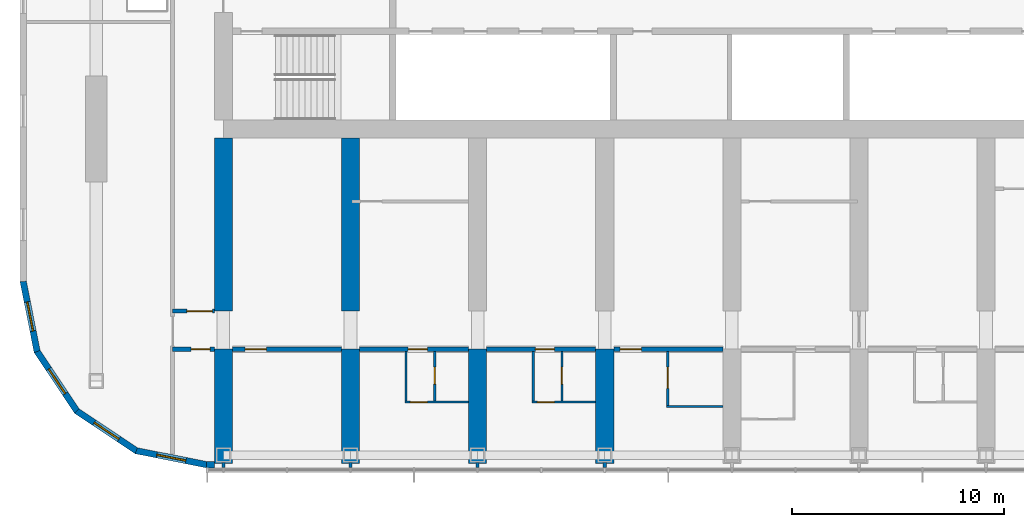
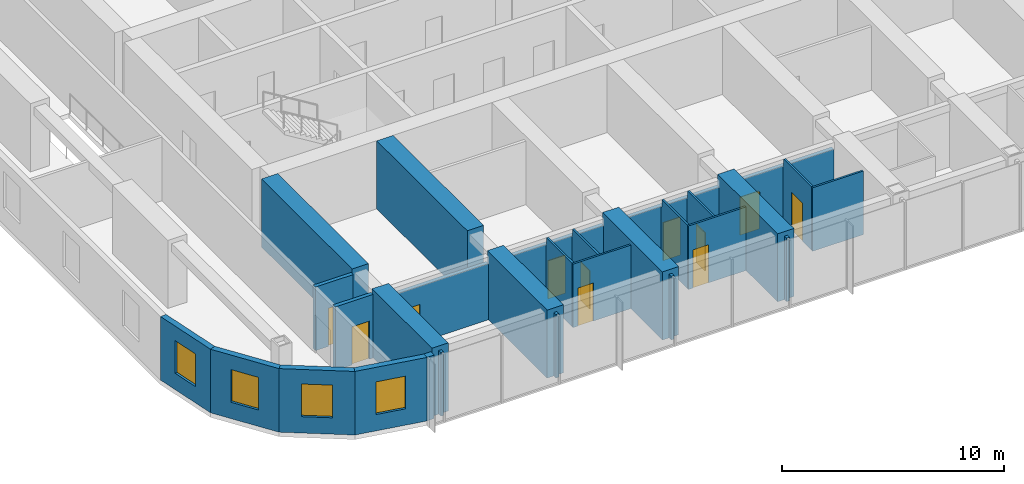
# One storey, part 10 of 22: 29 walls, 11 doors, 4 windows, 15 openings.
"""IFC4 building model written with IfcOpenShell, lengths in metres."""

from ifc_helpers import new_model, si_unit, direction, frame, frame_2d, origin, place, context, subcontext, project, spatial, polyline, rectangle, outline, extrude, material, layer, layer_set, type_object, element, fill, save


model = new_model("IFC4")

# Units and contexts
model_context = context("Model", 3, precision=1e-05, world=origin(), true_north=direction((0.0, 1.0)))
body_context = subcontext(model_context, "Body", "Model", "MODEL_VIEW")
ifc_project = project(units=[si_unit("LENGTHUNIT", "METRE"), si_unit("AREAUNIT", "SQUARE_METRE"), si_unit("VOLUMEUNIT", "CUBIC_METRE"), si_unit("PLANEANGLEUNIT", "RADIAN"), si_unit("MASSUNIT", "GRAM", prefix="KILO")], contexts=[model_context])

# Site, building, storey
site_placement = place(None, origin())
site = spatial("IfcSite", under=ifc_project, at=site_placement, CompositionType="ELEMENT")
building_placement = place(site_placement, origin())
building = spatial("IfcBuilding", under=site, at=building_placement, Name="Orbita Commons", CompositionType="ELEMENT")
storey_placement = place(building_placement, frame((0.0, 0.0, 182.35009765625)))
storey = spatial("IfcBuildingStorey", under=building, at=storey_placement, Name="L45", CompositionType="ELEMENT", Elevation=182.35009765625)

# Wall, opening, door
ifc_material_1 = material(Name="Concrete blockwork", Category="masonry")
ifc_layer_1 = layer(ifc_material_1, 0.199951171875)
ifc_layer_set_1 = layer_set([ifc_layer_1], Name="Concrete blockwork")
wall_type_1 = type_object("IfcWallType", Name="Corridor wall 200 blockwork", PredefinedType="SOLIDWALL", material=ifc_layer_set_1)
wall_1_placement = place(storey_placement, frame((15.60009765625, 15.39990234375, 0.0), z_axis=(0.0, 0.0, 1.0), x_axis=(1.0, 0.0, 0.0)))
wall_1 = element("IfcWall", 1, at=wall_1_placement, inside=storey, type_object=wall_type_1, Name="Corridor wall 200 blockwork L45", PredefinedType="SOLIDWALL", context=body_context, shape_type="SweptSolid", body=[
    extrude(rectangle(XDim=1.974853515625, YDim=0.199951171875, at=frame_2d((0.9873046875, 0.0))), origin(), (0.0, 0.0, 1.0), 3.5),
])
opening_1_placement = place(wall_1_placement, frame((0.875, 0.0, 0.0)))
opening_1 = element("IfcOpeningElement", 2, at=opening_1_placement, cuts=wall_1, Name="Opening D05", PredefinedType="OPENING", context=body_context, shape_type="SweptSolid", body=[
    extrude(rectangle(XDim=0.89990234375, YDim=2.10009765625, at=frame_2d((0.449951171875, 1.050048828125))), frame((0.0, 0.10986328125, 0.0), z_axis=(0.0, -1.0, 0.0), x_axis=(1.0, 0.0, 0.0)), (0.0, 0.0, 1.0), 0.219970703125),
])
ifc_material_2 = material(Name="Steel-faced fire door leaf", Category="steel")
door_type_1 = type_object("IfcDoorType", Name="Service door 20 min 900x2100", OperationType="SINGLE_SWING_LEFT", PredefinedType="DOOR", material=ifc_material_2)
door_1_placement = place(opening_1_placement, origin())
door_1 = element("IfcDoor", 3, at=door_1_placement, inside=storey, type_object=door_type_1, Name="Linen store L45-KWS door", OperationType="SINGLE_SWING_LEFT", OverallHeight=2.10009765625, OverallWidth=0.89990234375, PredefinedType="DOOR", context=body_context, shape_type="SweptSolid", body=[
    extrude(rectangle(XDim=0.89990234375, YDim=2.10009765625, at=frame_2d((0.449951171875, 1.050048828125))), frame((0.0, 0.02490234375, 0.0), z_axis=(0.0, -1.0, 0.0), x_axis=(1.0, 0.0, 0.0)), (0.0, 0.0, 1.0), 0.050048828125),
])
fill(opening_1, door_1)

wall_2_placement = place(storey_placement, frame((18.425048828125, 15.39990234375, 0.0), z_axis=(0.0, 0.0, 1.0), x_axis=(1.0, 0.0, 0.0)))
wall_2 = element("IfcWall", 4, at=wall_2_placement, inside=storey, type_object=wall_type_1, Name="Corridor wall 200 blockwork L45", PredefinedType="SOLIDWALL", context=body_context, shape_type="SweptSolid", body=[
    extrude(outline(polyline([(0.0, 0.0), (5.14990234375, 0.0), (5.14990234375, 3.099853515625), (0.0, 3.099853515625), (0.0, 0.0)])), frame((0.0, 0.10009765625, 0.0), z_axis=(0.0, -1.0, 0.0), x_axis=(1.0, 0.0, 0.0)), (0.0, 0.0, 1.0), 0.199951171875),
])
opening_2_placement = place(wall_2_placement, frame((0.60009765625, 0.0, 0.0)))
opening_2 = element("IfcOpeningElement", 5, at=opening_2_placement, cuts=wall_2, Name="Opening D06", PredefinedType="OPENING", context=body_context, shape_type="SweptSolid", body=[
    extrude(rectangle(XDim=1.0, YDim=2.10009765625, at=frame_2d((0.5, 1.050048828125))), frame((0.0, 0.10986328125, 0.0), z_axis=(0.0, -1.0, 0.0), x_axis=(1.0, 0.0, 0.0)), (0.0, 0.0, 1.0), 0.219970703125),
])
ifc_material_3 = material(Name="Steel-faced fire door leaf", Category="steel")
door_type_2 = type_object("IfcDoorType", Name="Corridor door 20 min 1000x2100", OperationType="SINGLE_SWING_LEFT", PredefinedType="DOOR", material=ifc_material_3)
door_2_placement = place(opening_2_placement, origin())
door_2 = element("IfcDoor", 6, at=door_2_placement, inside=storey, type_object=door_type_2, Name="Mountain-view lounge L45-S00 door", OperationType="SINGLE_SWING_LEFT", OverallHeight=2.10009765625, OverallWidth=1.0, PredefinedType="DOOR", context=body_context, shape_type="SweptSolid", body=[
    extrude(rectangle(XDim=1.0, YDim=2.10009765625, at=frame_2d((0.5, 1.050048828125))), frame((0.0, 0.02490234375, 0.0), z_axis=(0.0, -1.0, 0.0), x_axis=(1.0, 0.0, 0.0)), (0.0, 0.0, 1.0), 0.050048828125),
])
fill(opening_2, door_2)

wall_3_placement = place(storey_placement, frame((24.425048828125, 15.39990234375, 0.0), z_axis=(0.0, 0.0, 1.0), x_axis=(1.0, 0.0, 0.0)))
wall_3 = element("IfcWall", 7, at=wall_3_placement, inside=storey, type_object=wall_type_1, Name="Corridor wall 200 blockwork L45", PredefinedType="SOLIDWALL", context=body_context, shape_type="SweptSolid", body=[
    extrude(outline(polyline([(0.0, 0.0), (5.14990234375, 0.0), (5.14990234375, 3.099853515625), (0.0, 3.099853515625), (0.0, 0.0)])), frame((0.0, 0.10009765625, 0.0), z_axis=(0.0, -1.0, 0.0), x_axis=(1.0, 0.0, 0.0)), (0.0, 0.0, 1.0), 0.199951171875),
])
opening_3_placement = place(wall_3_placement, frame((2.300048828125, 0.0, 0.0)))
opening_3 = element("IfcOpeningElement", 8, at=opening_3_placement, cuts=wall_3, Name="Opening D11", PredefinedType="OPENING", context=body_context, shape_type="SweptSolid", body=[
    extrude(rectangle(XDim=0.89990234375, YDim=2.10009765625, at=frame_2d((0.449951171875, 1.050048828125))), frame((0.0, 0.10986328125, 0.0), z_axis=(0.0, -1.0, 0.0), x_axis=(1.0, 0.0, 0.0)), (0.0, 0.0, 1.0), 0.219970703125),
])
ifc_material_4 = material(Name="Steel-faced fire door leaf", Category="steel")
door_type_3 = type_object("IfcDoorType", Name="Corridor door 20 min 900x2100", OperationType="SINGLE_SWING_LEFT", PredefinedType="DOOR", material=ifc_material_4)
door_3_placement = place(opening_3_placement, origin())
door_3 = element("IfcDoor", 9, at=door_3_placement, inside=storey, type_object=door_type_3, Name="Studio flat L45-S02 entrance door", OperationType="SINGLE_SWING_LEFT", OverallHeight=2.10009765625, OverallWidth=0.89990234375, PredefinedType="DOOR", context=body_context, shape_type="SweptSolid", body=[
    extrude(rectangle(XDim=0.89990234375, YDim=2.10009765625, at=frame_2d((0.449951171875, 1.050048828125))), frame((0.0, 0.02490234375, 0.0), z_axis=(0.0, -1.0, 0.0), x_axis=(1.0, 0.0, 0.0)), (0.0, 0.0, 1.0), 0.050048828125),
])
fill(opening_3, door_3)

wall_4_placement = place(storey_placement, frame((30.425048828125, 15.39990234375, 0.0), z_axis=(0.0, 0.0, 1.0), x_axis=(1.0, 0.0, 0.0)))
wall_4 = element("IfcWall", 10, at=wall_4_placement, inside=storey, type_object=wall_type_1, Name="Corridor wall 200 blockwork L45", PredefinedType="SOLIDWALL", context=body_context, shape_type="SweptSolid", body=[
    extrude(outline(polyline([(0.0, 0.0), (5.14990234375, 0.0), (5.14990234375, 3.099853515625), (0.0, 3.099853515625), (0.0, 0.0)])), frame((0.0, 0.10009765625, 0.0), z_axis=(0.0, -1.0, 0.0), x_axis=(1.0, 0.0, 0.0)), (0.0, 0.0, 1.0), 0.199951171875),
])
opening_4_placement = place(wall_4_placement, frame((2.300048828125, 0.0, 0.0)))
opening_4 = element("IfcOpeningElement", 11, at=opening_4_placement, cuts=wall_4, Name="Opening D11", PredefinedType="OPENING", context=body_context, shape_type="SweptSolid", body=[
    extrude(rectangle(XDim=0.89990234375, YDim=2.10009765625, at=frame_2d((0.449951171875, 1.050048828125))), frame((0.0, 0.10986328125, 0.0), z_axis=(0.0, -1.0, 0.0), x_axis=(1.0, 0.0, 0.0)), (0.0, 0.0, 1.0), 0.219970703125),
])
door_4_placement = place(opening_4_placement, origin())
door_4 = element("IfcDoor", 12, at=door_4_placement, inside=storey, type_object=door_type_3, Name="Studio flat L45-S04 entrance door", OperationType="SINGLE_SWING_LEFT", OverallHeight=2.10009765625, OverallWidth=0.89990234375, PredefinedType="DOOR", context=body_context, shape_type="SweptSolid", body=[
    extrude(rectangle(XDim=0.89990234375, YDim=2.10009765625, at=frame_2d((0.449951171875, 1.050048828125))), frame((0.0, 0.02490234375, 0.0), z_axis=(0.0, -1.0, 0.0), x_axis=(1.0, 0.0, 0.0)), (0.0, 0.0, 1.0), 0.050048828125),
])
fill(opening_4, door_4)

wall_5_placement = place(storey_placement, frame((36.425048828125, 15.39990234375, 0.0), z_axis=(0.0, 0.0, 1.0), x_axis=(1.0, 0.0, 0.0)))
wall_5 = element("IfcWall", 13, at=wall_5_placement, inside=storey, type_object=wall_type_1, Name="Corridor wall 200 blockwork L45", PredefinedType="SOLIDWALL", context=body_context, shape_type="SweptSolid", body=[
    extrude(outline(polyline([(0.0, 0.0), (5.14990234375, 0.0), (5.14990234375, 3.099853515625), (0.0, 3.099853515625), (0.0, 0.0)])), frame((0.0, 0.10009765625, 0.0), z_axis=(0.0, -1.0, 0.0), x_axis=(1.0, 0.0, 0.0)), (0.0, 0.0, 1.0), 0.199951171875),
])
opening_5_placement = place(wall_5_placement, frame((0.300048828125, 0.0, 0.0)))
opening_5 = element("IfcOpeningElement", 14, at=opening_5_placement, cuts=wall_5, Name="Opening D06", PredefinedType="OPENING", context=body_context, shape_type="SweptSolid", body=[
    extrude(rectangle(XDim=1.0, YDim=2.10009765625, at=frame_2d((0.5, 1.050048828125))), frame((0.0, 0.10986328125, 0.0), z_axis=(0.0, -1.0, 0.0), x_axis=(1.0, 0.0, 0.0)), (0.0, 0.0, 1.0), 0.219970703125),
])
door_5_placement = place(opening_5_placement, origin())
door_5 = element("IfcDoor", 15, at=door_5_placement, inside=storey, type_object=door_type_2, Name="Accessible bedroom L45-S06 door", OperationType="SINGLE_SWING_LEFT", OverallHeight=2.10009765625, OverallWidth=1.0, PredefinedType="DOOR", context=body_context, shape_type="SweptSolid", body=[
    extrude(rectangle(XDim=1.0, YDim=2.10009765625, at=frame_2d((0.5, 1.050048828125))), frame((0.0, 0.02490234375, 0.0), z_axis=(0.0, -1.0, 0.0), x_axis=(1.0, 0.0, 0.0)), (0.0, 0.0, 1.0), 0.050048828125),
])
fill(opening_5, door_5)

ifc_material_5 = material(Name="Hollow concrete block 200", Category="concrete")
ifc_layer_2 = layer(ifc_material_5, 0.199951171875)
ifc_layer_set_2 = layer_set([ifc_layer_2], Name="Hollow concrete block 200")
wall_type_2 = type_object("IfcWallType", Name="Corridor wall 200 hollow concrete block", PredefinedType="SOLIDWALL", material=ifc_layer_set_2)
wall_6_placement = place(storey_placement, frame((15.60009765625, 17.199951171875, 0.0), z_axis=(0.0, 0.0, 1.0), x_axis=(1.0, 0.0, 0.0)))
wall_6 = element("IfcWall", 16, at=wall_6_placement, inside=storey, type_object=wall_type_2, Name="Corridor wall 200 hollow concrete block L45", PredefinedType="SOLIDWALL", context=body_context, shape_type="SweptSolid", body=[
    extrude(rectangle(XDim=1.974853515625, YDim=0.199951171875, at=frame_2d((0.9873046875, 0.0))), origin(), (0.0, 0.0, 1.0), 3.5),
])
opening_6_placement = place(wall_6_placement, frame((0.675048828125, 0.0, 0.0)))
opening_6 = element("IfcOpeningElement", 17, at=opening_6_placement, cuts=wall_6, Name="Opening D12", PredefinedType="OPENING", context=body_context, shape_type="SweptSolid", body=[
    extrude(rectangle(XDim=1.199951171875, YDim=2.10009765625, at=frame_2d((0.60009765625, 1.050048828125))), frame((0.0, 0.10986328125, 0.0), z_axis=(0.0, -1.0, 0.0), x_axis=(1.0, 0.0, 0.0)), (0.0, 0.0, 1.0), 0.219970703125),
])
ifc_material_6 = material(Name="Steel-faced fire door leaf", Category="steel")
door_type_4 = type_object("IfcDoorType", Name="Double corridor door 20 min 1200x2100", OperationType="DOUBLE_DOOR_SINGLE_SWING", PredefinedType="DOOR", material=ifc_material_6)
door_6_placement = place(opening_6_placement, origin())
door_6 = element("IfcDoor", 18, at=door_6_placement, inside=storey, type_object=door_type_4, Name="Cross corridor doors", OperationType="DOUBLE_DOOR_SINGLE_SWING", OverallHeight=2.10009765625, OverallWidth=1.199951171875, PredefinedType="DOOR", context=body_context, shape_type="SweptSolid", body=[
    extrude(rectangle(XDim=1.199951171875, YDim=2.10009765625, at=frame_2d((0.60009765625, 1.050048828125))), frame((0.0, 0.02490234375, 0.0), z_axis=(0.0, -1.0, 0.0), x_axis=(1.0, 0.0, 0.0)), (0.0, 0.0, 1.0), 0.050048828125),
])
fill(opening_6, door_6)

# Walls
ifc_material_7 = material(Name="Concrete C50/60", Category="concrete")
ifc_layer_3 = layer(ifc_material_7, 0.85009765625)
ifc_layer_set_3 = layer_set([ifc_layer_3], Name="Concrete C50/60")
wall_type_3 = type_object("IfcWallType", Name="Cross wall 850 C50/60", PredefinedType="SHEAR", material=ifc_layer_set_3)
wall_7_placement = place(storey_placement, frame((18.0, 10.0, 0.0), z_axis=(0.0, 0.0, 1.0), x_axis=(0.0, 1.0, 0.0)))
element("IfcWall", 19, at=wall_7_placement, inside=storey, type_object=wall_type_3, Name="Cross wall 4 south outer L45", PredefinedType="SHEAR", context=body_context, shape_type="SweptSolid", body=[
    extrude(rectangle(XDim=5.39990234375, YDim=0.85009765625, at=frame_2d((2.699951171875, 0.0))), origin(), (0.0, 0.0, 1.0), 3.75),
])
wall_8_placement = place(storey_placement, frame((18.0, 17.199951171875, 0.0), z_axis=(0.0, 0.0, 1.0), x_axis=(0.0, 1.0, 0.0)))
element("IfcWall", 20, at=wall_8_placement, inside=storey, type_object=wall_type_3, Name="Cross wall 4 south inner L45", PredefinedType="SHEAR", context=body_context, shape_type="SweptSolid", body=[
    extrude(rectangle(XDim=8.175048828125, YDim=0.85009765625, at=frame_2d((4.08740234375, 0.0))), origin(), (0.0, 0.0, 1.0), 3.75),
])
wall_9_placement = place(storey_placement, frame((24.0, 10.0, 0.0), z_axis=(0.0, 0.0, 1.0), x_axis=(0.0, 1.0, 0.0)))
element("IfcWall", 21, at=wall_9_placement, inside=storey, type_object=wall_type_3, Name="Cross wall 5 south outer L45", PredefinedType="SHEAR", context=body_context, shape_type="SweptSolid", body=[
    extrude(rectangle(XDim=5.39990234375, YDim=0.85009765625, at=frame_2d((2.699951171875, 0.0))), origin(), (0.0, 0.0, 1.0), 3.75),
])
wall_10_placement = place(storey_placement, frame((24.0, 17.199951171875, 0.0), z_axis=(0.0, 0.0, 1.0), x_axis=(0.0, 1.0, 0.0)))
element("IfcWall", 22, at=wall_10_placement, inside=storey, type_object=wall_type_3, Name="Cross wall 5 south inner L45", PredefinedType="SHEAR", context=body_context, shape_type="SweptSolid", body=[
    extrude(rectangle(XDim=8.175048828125, YDim=0.85009765625, at=frame_2d((4.08740234375, 0.0))), origin(), (0.0, 0.0, 1.0), 3.75),
])
for number, where, z_axis, x_axis, name in (
    (23, (30.0, 10.0, 0.0), (0.0, 0.0, 1.0), (0.0, 1.0, 0.0), "Cross wall 6 south outer L45"),
    (24, (36.0, 10.0, 0.0), (0.0, 0.0, 1.0), (0.0, 1.0, 0.0), "Cross wall 7 south outer L45"),
):
    element("IfcWall", number, at=place(storey_placement, frame(where, z_axis=z_axis, x_axis=x_axis)), inside=storey, type_object=wall_type_3, Name=name, PredefinedType="SHEAR", context=body_context, shape_type="SweptSolid", body=[
        extrude(rectangle(XDim=5.39990234375, YDim=0.85009765625, at=frame_2d((2.699951171875, 0.0))), origin(), (0.0, 0.0, 1.0), 3.75),
    ])

# Wall, opening, door
ifc_material_8 = material(Name="Moisture-resistant plasterboard on steel studs", Category="steel")
ifc_layer_4 = layer(ifc_material_8, 0.10009765625)
ifc_layer_set_4 = layer_set([ifc_layer_4], Name="Moisture-resistant plasterboard on steel studs")
wall_type_4 = type_object("IfcWallType", Name="En-suite partition 100", PredefinedType="PARTITIONING", material=ifc_layer_set_4)
wall_11_placement = place(storey_placement, frame((29.574951171875, 12.89990234375, 0.0), z_axis=(0.0, 0.0, 1.0), x_axis=(-1.0, 0.0, 0.0)))
wall_11 = element("IfcWall", 25, at=wall_11_placement, inside=storey, type_object=wall_type_4, Name="En-suite partition 100 L45", PredefinedType="PARTITIONING", context=body_context, shape_type="SweptSolid", body=[
    extrude(rectangle(XDim=3.0, YDim=0.10009765625, at=frame_2d((1.5, 0.0))), origin(), (0.0, 0.0, 1.0), 3.5),
])
opening_7_placement = place(wall_11_placement, frame((1.949951171875, 0.0, 0.0)))
opening_7 = element("IfcOpeningElement", 26, at=opening_7_placement, cuts=wall_11, Name="Opening D16", PredefinedType="OPENING", context=body_context, shape_type="SweptSolid", body=[
    extrude(rectangle(XDim=0.800048828125, YDim=2.10009765625, at=frame_2d((0.39990234375, 1.050048828125))), frame((0.0, 0.06005859375, 0.0), z_axis=(0.0, -1.0, 0.0), x_axis=(1.0, 0.0, 0.0)), (0.0, 0.0, 1.0), 0.1201171875),
])
ifc_material_9 = material(Name="Laminated timber door leaf", Category="wood")
door_type_5 = type_object("IfcDoorType", Name="En-suite door 800x2100", OperationType="SINGLE_SWING_RIGHT", PredefinedType="DOOR", material=ifc_material_9)
door_7_placement = place(opening_7_placement, origin())
door_7 = element("IfcDoor", 27, at=door_7_placement, inside=storey, type_object=door_type_5, Name="Studio flat L45-S02 door", OperationType="SINGLE_SWING_RIGHT", OverallHeight=2.10009765625, OverallWidth=0.800048828125, PredefinedType="DOOR", context=body_context, shape_type="SweptSolid", body=[
    extrude(rectangle(XDim=0.800048828125, YDim=2.10009765625, at=frame_2d((0.39990234375, 1.050048828125))), frame((0.0, 0.02490234375, 0.0), z_axis=(0.0, -1.0, 0.0), x_axis=(1.0, 0.0, 0.0)), (0.0, 0.0, 1.0), 0.050048828125),
])
fill(opening_7, door_7)

# Wall
wall_12_placement = place(storey_placement, frame((26.625, 12.949951171875, 0.0), z_axis=(0.0, 0.0, 1.0), x_axis=(0.0, 1.0, 0.0)))
element("IfcWall", 28, at=wall_12_placement, inside=storey, type_object=wall_type_4, Name="En-suite partition 100 L45", PredefinedType="PARTITIONING", context=body_context, shape_type="SweptSolid", body=[
    extrude(outline(polyline([(0.0, 0.0), (2.35009765625, 0.0), (2.35009765625, 3.099853515625), (2.302001953125, 3.099853515625), (2.300048828125, 3.5), (0.0, 3.5), (0.0, 0.0)])), frame((0.0, 0.050048828125, 0.0), z_axis=(0.0, -1.0, 0.0), x_axis=(1.0, 0.0, 0.0)), (0.0, 0.0, 1.0), 0.10009765625),
])

# Wall, opening, door
wall_13_placement = place(storey_placement, frame((27.97509765625, 12.949951171875, 0.0), z_axis=(0.0, 0.0, 1.0), x_axis=(0.0, 1.0, 0.0)))
wall_13 = element("IfcWall", 29, at=wall_13_placement, inside=storey, type_object=wall_type_4, Name="En-suite partition 100 L45", PredefinedType="PARTITIONING", context=body_context, shape_type="SweptSolid", body=[
    extrude(outline(polyline([(0.0, 0.0), (2.35009765625, 0.0), (2.35009765625, 3.099853515625), (2.302001953125, 3.099853515625), (2.300048828125, 3.5), (0.0, 3.5), (0.0, 0.0)])), frame((0.0, 0.050048828125, 0.0), z_axis=(0.0, -1.0, 0.0), x_axis=(1.0, 0.0, 0.0)), (0.0, 0.0, 1.0), 0.10009765625),
])
opening_8_placement = place(wall_13_placement, frame((0.800048828125, 0.0, 0.0)))
opening_8 = element("IfcOpeningElement", 30, at=opening_8_placement, cuts=wall_13, Name="Opening D16", PredefinedType="OPENING", context=body_context, shape_type="SweptSolid", body=[
    extrude(rectangle(XDim=0.800048828125, YDim=2.10009765625, at=frame_2d((0.39990234375, 1.050048828125))), frame((0.0, 0.06005859375, 0.0), z_axis=(0.0, -1.0, 0.0), x_axis=(1.0, 0.0, 0.0)), (0.0, 0.0, 1.0), 0.1201171875),
])
door_8_placement = place(opening_8_placement, origin())
door_8 = element("IfcDoor", 31, at=door_8_placement, inside=storey, type_object=door_type_5, Name="Studio flat shower room L45-S02 door", OperationType="SINGLE_SWING_RIGHT", OverallHeight=2.10009765625, OverallWidth=0.800048828125, PredefinedType="DOOR", context=body_context, shape_type="SweptSolid", body=[
    extrude(rectangle(XDim=0.800048828125, YDim=2.10009765625, at=frame_2d((0.39990234375, 1.050048828125))), frame((0.0, 0.02490234375, 0.0), z_axis=(0.0, -1.0, 0.0), x_axis=(1.0, 0.0, 0.0)), (0.0, 0.0, 1.0), 0.050048828125),
])
fill(opening_8, door_8)

wall_14_placement = place(storey_placement, frame((35.574951171875, 12.89990234375, 0.0), z_axis=(0.0, 0.0, 1.0), x_axis=(-1.0, 0.0, 0.0)))
wall_14 = element("IfcWall", 32, at=wall_14_placement, inside=storey, type_object=wall_type_4, Name="En-suite partition 100 L45", PredefinedType="PARTITIONING", context=body_context, shape_type="SweptSolid", body=[
    extrude(rectangle(XDim=3.0, YDim=0.10009765625, at=frame_2d((1.5, 0.0))), origin(), (0.0, 0.0, 1.0), 3.5),
])
opening_9_placement = place(wall_14_placement, frame((1.949951171875, 0.0, 0.0)))
opening_9 = element("IfcOpeningElement", 33, at=opening_9_placement, cuts=wall_14, Name="Opening D16", PredefinedType="OPENING", context=body_context, shape_type="SweptSolid", body=[
    extrude(rectangle(XDim=0.800048828125, YDim=2.10009765625, at=frame_2d((0.39990234375, 1.050048828125))), frame((0.0, 0.06005859375, 0.0), z_axis=(0.0, -1.0, 0.0), x_axis=(1.0, 0.0, 0.0)), (0.0, 0.0, 1.0), 0.1201171875),
])
door_9_placement = place(opening_9_placement, origin())
door_9 = element("IfcDoor", 34, at=door_9_placement, inside=storey, type_object=door_type_5, Name="Studio flat L45-S04 door", OperationType="SINGLE_SWING_RIGHT", OverallHeight=2.10009765625, OverallWidth=0.800048828125, PredefinedType="DOOR", context=body_context, shape_type="SweptSolid", body=[
    extrude(rectangle(XDim=0.800048828125, YDim=2.10009765625, at=frame_2d((0.39990234375, 1.050048828125))), frame((0.0, 0.02490234375, 0.0), z_axis=(0.0, -1.0, 0.0), x_axis=(1.0, 0.0, 0.0)), (0.0, 0.0, 1.0), 0.050048828125),
])
fill(opening_9, door_9)

# Wall
wall_15_placement = place(storey_placement, frame((32.625, 12.949951171875, 0.0), z_axis=(0.0, 0.0, 1.0), x_axis=(0.0, 1.0, 0.0)))
element("IfcWall", 35, at=wall_15_placement, inside=storey, type_object=wall_type_4, Name="En-suite partition 100 L45", PredefinedType="PARTITIONING", context=body_context, shape_type="SweptSolid", body=[
    extrude(outline(polyline([(0.0, 0.0), (2.35009765625, 0.0), (2.35009765625, 3.099853515625), (2.302001953125, 3.099853515625), (2.300048828125, 3.5), (0.0, 3.5), (0.0, 0.0)])), frame((0.0, 0.050048828125, 0.0), z_axis=(0.0, -1.0, 0.0), x_axis=(1.0, 0.0, 0.0)), (0.0, 0.0, 1.0), 0.10009765625),
])

# Wall, opening, door
wall_16_placement = place(storey_placement, frame((33.97509765625, 12.949951171875, 0.0), z_axis=(0.0, 0.0, 1.0), x_axis=(0.0, 1.0, 0.0)))
wall_16 = element("IfcWall", 36, at=wall_16_placement, inside=storey, type_object=wall_type_4, Name="En-suite partition 100 L45", PredefinedType="PARTITIONING", context=body_context, shape_type="SweptSolid", body=[
    extrude(outline(polyline([(0.0, 0.0), (2.35009765625, 0.0), (2.35009765625, 3.099853515625), (2.302001953125, 3.099853515625), (2.300048828125, 3.5), (0.0, 3.5), (0.0, 0.0)])), frame((0.0, 0.050048828125, 0.0), z_axis=(0.0, -1.0, 0.0), x_axis=(1.0, 0.0, 0.0)), (0.0, 0.0, 1.0), 0.10009765625),
])
opening_10_placement = place(wall_16_placement, frame((0.800048828125, 0.0, 0.0)))
opening_10 = element("IfcOpeningElement", 37, at=opening_10_placement, cuts=wall_16, Name="Opening D16", PredefinedType="OPENING", context=body_context, shape_type="SweptSolid", body=[
    extrude(rectangle(XDim=0.800048828125, YDim=2.10009765625, at=frame_2d((0.39990234375, 1.050048828125))), frame((0.0, 0.06005859375, 0.0), z_axis=(0.0, -1.0, 0.0), x_axis=(1.0, 0.0, 0.0)), (0.0, 0.0, 1.0), 0.1201171875),
])
door_10_placement = place(opening_10_placement, origin())
door_10 = element("IfcDoor", 38, at=door_10_placement, inside=storey, type_object=door_type_5, Name="Studio flat shower room L45-S04 door", OperationType="SINGLE_SWING_RIGHT", OverallHeight=2.10009765625, OverallWidth=0.800048828125, PredefinedType="DOOR", context=body_context, shape_type="SweptSolid", body=[
    extrude(rectangle(XDim=0.800048828125, YDim=2.10009765625, at=frame_2d((0.39990234375, 1.050048828125))), frame((0.0, 0.02490234375, 0.0), z_axis=(0.0, -1.0, 0.0), x_axis=(1.0, 0.0, 0.0)), (0.0, 0.0, 1.0), 0.050048828125),
])
fill(opening_10, door_10)

# Wall
wall_17_placement = place(storey_placement, frame((38.925048828125, 12.699951171875, 0.0), z_axis=(0.0, 0.0, 1.0), x_axis=(1.0, 0.0, 0.0)))
element("IfcWall", 39, at=wall_17_placement, inside=storey, type_object=wall_type_4, Name="En-suite partition 100 L45", PredefinedType="PARTITIONING", context=body_context, shape_type="SweptSolid", body=[
    extrude(rectangle(XDim=2.64990234375, YDim=0.10009765625, at=frame_2d((1.324951171875, 0.0))), origin(), (0.0, 0.0, 1.0), 3.5),
])

# Wall, opening, door
wall_18_placement = place(storey_placement, frame((38.97509765625, 12.75, 0.0), z_axis=(0.0, 0.0, 1.0), x_axis=(0.0, 1.0, 0.0)))
wall_18 = element("IfcWall", 40, at=wall_18_placement, inside=storey, type_object=wall_type_4, Name="En-suite partition 100 L45", PredefinedType="PARTITIONING", context=body_context, shape_type="SweptSolid", body=[
    extrude(outline(polyline([(0.0, 0.0), (2.550048828125, 0.0), (2.550048828125, 3.099853515625), (2.501953125, 3.099853515625), (2.5, 3.5), (0.0, 3.5), (0.0, 0.0)])), frame((0.0, 0.050048828125, 0.0), z_axis=(0.0, -1.0, 0.0), x_axis=(1.0, 0.0, 0.0)), (0.0, 0.0, 1.0), 0.10009765625),
])
opening_11_placement = place(wall_18_placement, frame((0.800048828125, 0.0, 0.0)))
opening_11 = element("IfcOpeningElement", 41, at=opening_11_placement, cuts=wall_18, Name="Opening D13", PredefinedType="OPENING", context=body_context, shape_type="SweptSolid", body=[
    extrude(rectangle(XDim=1.0, YDim=2.10009765625, at=frame_2d((0.5, 1.050048828125))), frame((0.0, 0.06005859375, 0.0), z_axis=(0.0, -1.0, 0.0), x_axis=(1.0, 0.0, 0.0)), (0.0, 0.0, 1.0), 0.1201171875),
])
ifc_material_10 = material(Name="Laminated timber door leaf", Category="wood")
door_type_6 = type_object("IfcDoorType", Name="En-suite door 1000x2100", OperationType="SINGLE_SWING_RIGHT", PredefinedType="DOOR", material=ifc_material_10)
door_11_placement = place(opening_11_placement, origin())
door_11 = element("IfcDoor", 42, at=door_11_placement, inside=storey, type_object=door_type_6, Name="Accessible shower room L45-S06 door", OperationType="SINGLE_SWING_RIGHT", OverallHeight=2.10009765625, OverallWidth=1.0, PredefinedType="DOOR", context=body_context, shape_type="SweptSolid", body=[
    extrude(rectangle(XDim=1.0, YDim=2.10009765625, at=frame_2d((0.5, 1.050048828125))), frame((0.0, 0.02490234375, 0.0), z_axis=(0.0, -1.0, 0.0), x_axis=(1.0, 0.0, 0.0)), (0.0, 0.0, 1.0), 0.050048828125),
])
fill(opening_11, door_11)

# Walls
ifc_material_11 = material(Name="Gypsum plasterboard on steel studs", Category="steel")
ifc_layer_5 = layer(ifc_material_11, 0.14990234375)
ifc_layer_set_5 = layer_set([ifc_layer_5], Name="Gypsum plasterboard on steel studs")
wall_type_5 = type_object("IfcWallType", Name="Partition 150 plasterboard", PredefinedType="PARTITIONING", material=ifc_layer_set_5)
for number, where, z_axis, x_axis, name in (
    (43, (18.0, 10.050048828125, 0.0), (0.0, 0.0, 1.0), (0.0, -1.0, 0.0), "Partition 150 plasterboard L45"),
    (44, (24.0, 10.050048828125, 0.0), (0.0, 0.0, 1.0), (0.0, -1.0, 0.0), "Partition 150 plasterboard L45"),
    (45, (30.0, 10.050048828125, 0.0), (0.0, 0.0, 1.0), (0.0, -1.0, 0.0), "Partition 150 plasterboard L45"),
    (46, (36.0, 10.050048828125, 0.0), (0.0, 0.0, 1.0), (0.0, -1.0, 0.0), "Partition 150 plasterboard L45"),
):
    element("IfcWall", number, at=place(storey_placement, frame(where, z_axis=z_axis, x_axis=x_axis)), inside=storey, type_object=wall_type_5, Name=name, PredefinedType="PARTITIONING", context=body_context, shape_type="SweptSolid", body=[
        extrude(rectangle(XDim=0.239990234375, YDim=0.14990234375, at=frame_2d((0.1201171875, 0.0))), origin(), (0.0, 0.0, 1.0), 3.5),
    ])

# Wall, opening, window
ifc_material_12 = material(Name="Precast concrete C40/50, white board-marked finish", Category="concrete")
ifc_layer_6 = layer(ifc_material_12, 0.300048828125)
ifc_layer_set_6 = layer_set([ifc_layer_6], Name="Precast concrete C40/50, white board-marked finish")
wall_type_6 = type_object("IfcWallType", Name="Precast concrete end shield 300", PredefinedType="SOLIDWALL", material=ifc_layer_set_6)
wall_19_placement = place(storey_placement, frame((8.550048828125, 18.60009765625, 0.0), z_axis=(0.0, 0.0, 1.0), x_axis=(0.19508664885, -0.980786011034, 0.0)))
wall_19 = element("IfcWall", 47, at=wall_19_placement, inside=storey, type_object=wall_type_6, Name="End shield SW chord 1 L45", PredefinedType="SOLIDWALL", context=body_context, shape_type="SweptSolid", body=[
    extrude(outline(polyline([(-0.014892578125, -0.14990234375), (3.405029296875, -0.14990234375), (3.345458984375, 0.14990234375), (0.014892578125, 0.14990234375), (-0.014892578125, -0.14990234375)])), origin(), (0.0, 0.0, 1.0), 3.5),
])
opening_12_placement = place(wall_19_placement, frame((0.987548828125, 0.0, 0.89990234375)))
opening_12 = element("IfcOpeningElement", 48, at=opening_12_placement, cuts=wall_19, Name="Opening W02", PredefinedType="OPENING", context=body_context, shape_type="SweptSolid", body=[
    extrude(rectangle(XDim=1.39990234375, YDim=1.800048828125, at=frame_2d((0.699951171875, 0.89990234375))), frame((0.0, 0.159912109375, 0.0), z_axis=(0.0, -1.0, 0.0), x_axis=(1.0, 0.0, 0.0)), (0.0, 0.0, 1.0), 0.320068359375),
])
ifc_material_13 = material(Name="Aluminium frame, clear double glazing", Category="aluminium")
window_type = type_object("IfcWindowType", Name="Deep-set window 1400x1800", PartitioningType="SINGLE_PANEL", PredefinedType="WINDOW", material=ifc_material_13)
window_1_placement = place(opening_12_placement, origin())
window_1 = element("IfcWindow", 49, at=window_1_placement, inside=storey, type_object=window_type, Name="Window L45-SW0", OverallHeight=1.800048828125, OverallWidth=1.39990234375, PartitioningType="SINGLE_PANEL", PredefinedType="WINDOW", context=body_context, shape_type="SweptSolid", body=[
    extrude(rectangle(XDim=1.39990234375, YDim=1.800048828125, at=frame_2d((0.699951171875, 0.89990234375))), frame((0.0, 0.030029296875, 0.0), z_axis=(0.0, -1.0, 0.0), x_axis=(1.0, 0.0, 0.0)), (0.0, 0.0, 1.0), 0.06005859375),
])
fill(opening_12, window_1)

wall_20_placement = place(storey_placement, frame((9.20849609375, 15.289794921875, 0.0), z_axis=(0.0, 0.0, 1.0), x_axis=(0.555534554399, -0.831493450887, 0.0)))
wall_20 = element("IfcWall", 50, at=wall_20_placement, inside=storey, type_object=wall_type_6, Name="End shield SW chord 2 L45", PredefinedType="SOLIDWALL", context=body_context, shape_type="SweptSolid", body=[
    extrude(outline(polyline([(-0.02978515625, -0.14990234375), (3.405029296875, -0.14990234375), (3.345458984375, 0.14990234375), (0.02978515625, 0.14990234375), (-0.02978515625, -0.14990234375)])), origin(), (0.0, 0.0, 1.0), 3.5),
])
opening_13_placement = place(wall_20_placement, frame((0.987548828125, 0.0, 0.89990234375)))
opening_13 = element("IfcOpeningElement", 51, at=opening_13_placement, cuts=wall_20, Name="Opening W02", PredefinedType="OPENING", context=body_context, shape_type="SweptSolid", body=[
    extrude(rectangle(XDim=1.39990234375, YDim=1.800048828125, at=frame_2d((0.699951171875, 0.89990234375))), frame((0.0, 0.159912109375, 0.0), z_axis=(0.0, -1.0, 0.0), x_axis=(1.0, 0.0, 0.0)), (0.0, 0.0, 1.0), 0.320068359375),
])
window_2_placement = place(opening_13_placement, origin())
window_2 = element("IfcWindow", 52, at=window_2_placement, inside=storey, type_object=window_type, Name="Window L45-SW1", OverallHeight=1.800048828125, OverallWidth=1.39990234375, PartitioningType="SINGLE_PANEL", PredefinedType="WINDOW", context=body_context, shape_type="SweptSolid", body=[
    extrude(rectangle(XDim=1.39990234375, YDim=1.800048828125, at=frame_2d((0.699951171875, 0.89990234375))), frame((0.0, 0.030029296875, 0.0), z_axis=(0.0, -1.0, 0.0), x_axis=(1.0, 0.0, 0.0)), (0.0, 0.0, 1.0), 0.06005859375),
])
fill(opening_13, window_2)

wall_21_placement = place(storey_placement, frame((11.08349609375, 12.4833984375, 0.0), z_axis=(0.0, 0.0, 1.0), x_axis=(0.831493450887, -0.555534554399, 0.0)))
wall_21 = element("IfcWall", 53, at=wall_21_placement, inside=storey, type_object=wall_type_6, Name="End shield SW chord 3 L45", PredefinedType="SOLIDWALL", context=body_context, shape_type="SweptSolid", body=[
    extrude(outline(polyline([(-0.02978515625, -0.14990234375), (3.405029296875, -0.14990234375), (3.345458984375, 0.14990234375), (0.02978515625, 0.14990234375), (-0.02978515625, -0.14990234375)])), origin(), (0.0, 0.0, 1.0), 3.5),
])
opening_14_placement = place(wall_21_placement, frame((0.987548828125, 0.0, 0.89990234375)))
opening_14 = element("IfcOpeningElement", 54, at=opening_14_placement, cuts=wall_21, Name="Opening W02", PredefinedType="OPENING", context=body_context, shape_type="SweptSolid", body=[
    extrude(rectangle(XDim=1.39990234375, YDim=1.800048828125, at=frame_2d((0.699951171875, 0.89990234375))), frame((0.0, 0.159912109375, 0.0), z_axis=(0.0, -1.0, 0.0), x_axis=(1.0, 0.0, 0.0)), (0.0, 0.0, 1.0), 0.320068359375),
])
window_3_placement = place(opening_14_placement, origin())
window_3 = element("IfcWindow", 55, at=window_3_placement, inside=storey, type_object=window_type, Name="Window L45-SW2", OverallHeight=1.800048828125, OverallWidth=1.39990234375, PartitioningType="SINGLE_PANEL", PredefinedType="WINDOW", context=body_context, shape_type="SweptSolid", body=[
    extrude(rectangle(XDim=1.39990234375, YDim=1.800048828125, at=frame_2d((0.699951171875, 0.89990234375))), frame((0.0, 0.030029296875, 0.0), z_axis=(0.0, -1.0, 0.0), x_axis=(1.0, 0.0, 0.0)), (0.0, 0.0, 1.0), 0.06005859375),
])
fill(opening_14, window_3)

wall_22_placement = place(storey_placement, frame((13.889892578125, 10.6083984375, 0.0), z_axis=(0.0, 0.0, 1.0), x_axis=(0.98078325777, -0.195100490205, 0.0)))
wall_22 = element("IfcWall", 56, at=wall_22_placement, inside=storey, type_object=wall_type_6, Name="End shield SW chord 4 L45", PredefinedType="SOLIDWALL", context=body_context, shape_type="SweptSolid", body=[
    extrude(outline(polyline([(-0.02978515625, -0.14990234375), (3.40478515625, -0.14990234375), (3.34521484375, 0.14990234375), (0.02978515625, 0.14990234375), (-0.02978515625, -0.14990234375)])), origin(), (0.0, 0.0, 1.0), 3.5),
])
opening_15_placement = place(wall_22_placement, frame((0.987548828125, 0.0, 0.89990234375)))
opening_15 = element("IfcOpeningElement", 57, at=opening_15_placement, cuts=wall_22, Name="Opening W02", PredefinedType="OPENING", context=body_context, shape_type="SweptSolid", body=[
    extrude(rectangle(XDim=1.39990234375, YDim=1.800048828125, at=frame_2d((0.699951171875, 0.89990234375))), frame((0.0, 0.159912109375, 0.0), z_axis=(0.0, -1.0, 0.0), x_axis=(1.0, 0.0, 0.0)), (0.0, 0.0, 1.0), 0.320068359375),
])
window_4_placement = place(opening_15_placement, origin())
window_4 = element("IfcWindow", 58, at=window_4_placement, inside=storey, type_object=window_type, Name="Window L45-SW3", OverallHeight=1.800048828125, OverallWidth=1.39990234375, PartitioningType="SINGLE_PANEL", PredefinedType="WINDOW", context=body_context, shape_type="SweptSolid", body=[
    extrude(rectangle(XDim=1.39990234375, YDim=1.800048828125, at=frame_2d((0.699951171875, 0.89990234375))), frame((0.0, 0.030029296875, 0.0), z_axis=(0.0, -1.0, 0.0), x_axis=(1.0, 0.0, 0.0)), (0.0, 0.0, 1.0), 0.06005859375),
])
fill(opening_15, window_4)

# Wall
wall_23_placement = place(storey_placement, frame((17.199951171875, 9.949951171875, 0.0), z_axis=(0.0, 0.0, 1.0), x_axis=(1.0, 0.0, 0.0)))
element("IfcWall", 59, at=wall_23_placement, inside=storey, type_object=wall_type_6, Name="End shield SW closer L45", PredefinedType="SOLIDWALL", context=body_context, shape_type="SweptSolid", body=[
    extrude(rectangle(XDim=0.375, YDim=0.300048828125, at=frame_2d((0.1875, 0.0))), origin(), (0.0, 0.0, 1.0), 3.5),
])

save(model, "model.ifc")
